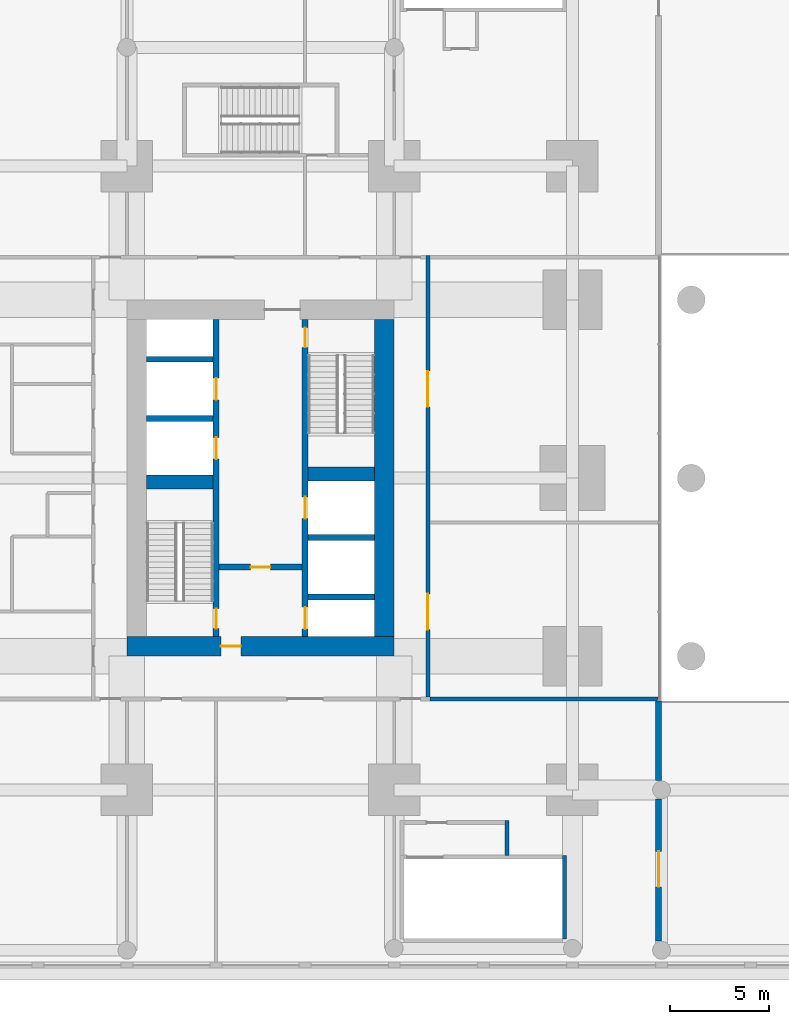
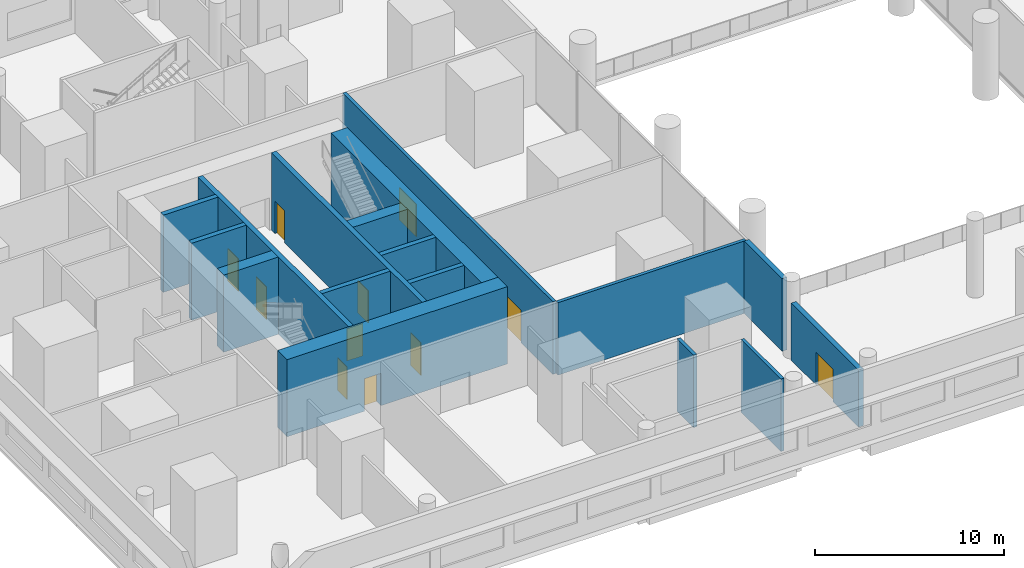
# One storey, part 10 of 20: 17 walls, 11 doors, 11 openings.
"""IFC4 building model written with IfcOpenShell, lengths in metres."""

from ifc_helpers import new_model, si_unit, direction, frame, frame_2d, origin, place, context, subcontext, project, spatial, rectangle, extrude, material, layer, layer_set, type_object, element, fill, save


model = new_model("IFC4")

# Units and contexts
model_context = context("Model", 3, precision=1e-05, world=origin(), true_north=direction((0.0, 1.0)))
body_context = subcontext(model_context, "Body", "Model", "MODEL_VIEW")
ifc_project = project(units=[si_unit("LENGTHUNIT", "METRE"), si_unit("AREAUNIT", "SQUARE_METRE"), si_unit("VOLUMEUNIT", "CUBIC_METRE"), si_unit("PLANEANGLEUNIT", "RADIAN"), si_unit("MASSUNIT", "GRAM", prefix="KILO")], contexts=[model_context])

# Site, building, storey
site_placement = place(None, origin())
site = spatial("IfcSite", under=ifc_project, at=site_placement, CompositionType="ELEMENT")
building_placement = place(site_placement, origin())
building = spatial("IfcBuilding", under=site, at=building_placement, Name="Namib Vertical Campus", CompositionType="ELEMENT")
storey_placement = place(building_placement, frame((0.0, 0.0, 16.0)))
storey = spatial("IfcBuildingStorey", under=building, at=storey_placement, Name="L03", CompositionType="ELEMENT", Elevation=16.0)

# Wall, openings, doors
ifc_material_1 = material(Name="Concrete C60/75", Category="concrete")
ifc_layer_1 = layer(ifc_material_1, 0.300048828125)
ifc_layer_set_1 = layer_set([ifc_layer_1], Name="Concrete C60/75")
wall_type_1 = type_object("IfcWallType", Name="Core inner wall 300", PredefinedType="SHEAR", material=ifc_layer_set_1)
wall_1_placement = place(storey_placement, frame((18.0, 12.25, 0.0), z_axis=(0.0, 0.0, 1.0), x_axis=(0.0, 1.0, 0.0)))
wall_1 = element("IfcWall", 1, at=wall_1_placement, inside=storey, type_object=wall_type_1, Name="Core inner wall A L03 W1", PredefinedType="SHEAR", context=body_context, shape_type="SweptSolid", body=[
    extrude(rectangle(XDim=16.0, YDim=0.300048828125, at=frame_2d((8.0, 0.0))), origin(), (0.0, 0.0, 1.0), 5.0),
])
opening_1_placement = place(wall_1_placement, frame((0.39990234375, 0.0, 0.0)))
opening_1 = element("IfcOpeningElement", 2, at=opening_1_placement, cuts=wall_1, Name="Opening FD1", PredefinedType="OPENING", context=body_context, shape_type="SweptSolid", body=[
    extrude(rectangle(XDim=1.0, YDim=2.10009765625, at=frame_2d((0.5, 1.050048828125))), frame((0.0, 0.159912109375, 0.0), z_axis=(0.0, -1.0, 0.0), x_axis=(1.0, 0.0, 0.0)), (0.0, 0.0, 1.0), 0.320068359375),
])
opening_2_placement = place(wall_1_placement, frame((8.949951171875, 0.0, 0.0)))
opening_2 = element("IfcOpeningElement", 3, at=opening_2_placement, cuts=wall_1, Name="Opening LD1", PredefinedType="OPENING", context=body_context, shape_type="SweptSolid", body=[
    extrude(rectangle(XDim=1.10009765625, YDim=2.10009765625, at=frame_2d((0.550048828125, 1.050048828125))), frame((0.0, 0.159912109375, 0.0), z_axis=(0.0, -1.0, 0.0), x_axis=(1.0, 0.0, 0.0)), (0.0, 0.0, 1.0), 0.320068359375),
])
opening_3_placement = place(wall_1_placement, frame((11.949951171875, 0.0, 0.0)))
opening_3 = element("IfcOpeningElement", 4, at=opening_3_placement, cuts=wall_1, Name="Opening LD1", PredefinedType="OPENING", context=body_context, shape_type="SweptSolid", body=[
    extrude(rectangle(XDim=1.10009765625, YDim=2.10009765625, at=frame_2d((0.550048828125, 1.050048828125))), frame((0.0, 0.159912109375, 0.0), z_axis=(0.0, -1.0, 0.0), x_axis=(1.0, 0.0, 0.0)), (0.0, 0.0, 1.0), 0.320068359375),
])
ifc_material_2 = material(Name="Steel fire door", Category="steel")
door_type_1 = type_object("IfcDoorType", Name="Fire door 1000x2100", OperationType="SINGLE_SWING_RIGHT", PredefinedType="DOOR", material=ifc_material_2)
door_1_placement = place(opening_1_placement, origin())
door_1 = element("IfcDoor", 5, at=door_1_placement, inside=storey, type_object=door_type_1, Name="Stair door FD1 A L03 S1", OperationType="SINGLE_SWING_LEFT", OverallHeight=2.10009765625, OverallWidth=1.0, PredefinedType="DOOR", context=body_context, shape_type="SweptSolid", body=[
    extrude(rectangle(XDim=1.0, YDim=2.10009765625, at=frame_2d((0.5, 1.050048828125))), frame((0.0, 0.02490234375, 0.0), z_axis=(0.0, -1.0, 0.0), x_axis=(1.0, 0.0, 0.0)), (0.0, 0.0, 1.0), 0.050048828125),
])
fill(opening_1, door_1)
ifc_material_3 = material(Name="Stainless steel lift door", Category="steel")
door_type_2 = type_object("IfcDoorType", Name="Lift landing door 1100x2100", OperationType="DOUBLE_DOOR_SLIDING", PredefinedType="DOOR", material=ifc_material_3)
door_2_placement = place(opening_2_placement, origin())
door_2 = element("IfcDoor", 6, at=door_2_placement, inside=storey, type_object=door_type_2, Name="Lift landing door LD1 A-P1 L03", OperationType="DOUBLE_DOOR_SLIDING", OverallHeight=2.10009765625, OverallWidth=1.10009765625, PredefinedType="DOOR", context=body_context, shape_type="SweptSolid", body=[
    extrude(rectangle(XDim=1.10009765625, YDim=2.10009765625, at=frame_2d((0.550048828125, 1.050048828125))), frame((0.0, 0.02490234375, 0.0), z_axis=(0.0, -1.0, 0.0), x_axis=(1.0, 0.0, 0.0)), (0.0, 0.0, 1.0), 0.050048828125),
])
fill(opening_2, door_2)
door_3_placement = place(opening_3_placement, origin())
door_3 = element("IfcDoor", 7, at=door_3_placement, inside=storey, type_object=door_type_2, Name="Lift landing door LD1 A-P2 L03", OperationType="DOUBLE_DOOR_SLIDING", OverallHeight=2.10009765625, OverallWidth=1.10009765625, PredefinedType="DOOR", context=body_context, shape_type="SweptSolid", body=[
    extrude(rectangle(XDim=1.10009765625, YDim=2.10009765625, at=frame_2d((0.550048828125, 1.050048828125))), frame((0.0, 0.02490234375, 0.0), z_axis=(0.0, -1.0, 0.0), x_axis=(1.0, 0.0, 0.0)), (0.0, 0.0, 1.0), 0.050048828125),
])
fill(opening_3, door_3)

wall_2_placement = place(storey_placement, frame((22.5, 12.25, 0.0), z_axis=(0.0, 0.0, 1.0), x_axis=(0.0, 1.0, 0.0)))
wall_2 = element("IfcWall", 8, at=wall_2_placement, inside=storey, type_object=wall_type_1, Name="Core inner wall A L03 W2", PredefinedType="SHEAR", context=body_context, shape_type="SweptSolid", body=[
    extrude(rectangle(XDim=16.0, YDim=0.300048828125, at=frame_2d((8.0, 0.0))), origin(), (0.0, 0.0, 1.0), 5.0),
])
opening_4_placement = place(wall_2_placement, frame((14.60009765625, 0.0, 0.0)))
opening_4 = element("IfcOpeningElement", 9, at=opening_4_placement, cuts=wall_2, Name="Opening FD1", PredefinedType="OPENING", context=body_context, shape_type="SweptSolid", body=[
    extrude(rectangle(XDim=1.0, YDim=2.10009765625, at=frame_2d((0.5, 1.050048828125))), frame((0.0, 0.159912109375, 0.0), z_axis=(0.0, -1.0, 0.0), x_axis=(1.0, 0.0, 0.0)), (0.0, 0.0, 1.0), 0.320068359375),
])
opening_5_placement = place(wall_2_placement, frame((0.375, 0.0, 0.0)))
opening_5 = element("IfcOpeningElement", 10, at=opening_5_placement, cuts=wall_2, Name="Opening LD1", PredefinedType="OPENING", context=body_context, shape_type="SweptSolid", body=[
    extrude(rectangle(XDim=1.10009765625, YDim=2.10009765625, at=frame_2d((0.550048828125, 1.050048828125))), frame((0.0, 0.159912109375, 0.0), z_axis=(0.0, -1.0, 0.0), x_axis=(1.0, 0.0, 0.0)), (0.0, 0.0, 1.0), 0.320068359375),
])
opening_6_placement = place(wall_2_placement, frame((5.949951171875, 0.0, 0.0)))
opening_6 = element("IfcOpeningElement", 11, at=opening_6_placement, cuts=wall_2, Name="Opening LD1", PredefinedType="OPENING", context=body_context, shape_type="SweptSolid", body=[
    extrude(rectangle(XDim=1.10009765625, YDim=2.10009765625, at=frame_2d((0.550048828125, 1.050048828125))), frame((0.0, 0.159912109375, 0.0), z_axis=(0.0, -1.0, 0.0), x_axis=(1.0, 0.0, 0.0)), (0.0, 0.0, 1.0), 0.320068359375),
])
door_4_placement = place(opening_4_placement, frame((1.0, 0.0, 0.0), z_axis=(0.0, 0.0, 1.0), x_axis=(-1.0, 0.0, 0.0)))
door_4 = element("IfcDoor", 12, at=door_4_placement, inside=storey, type_object=door_type_1, Name="Stair door FD1 A L03 S2", OperationType="SINGLE_SWING_LEFT", OverallHeight=2.10009765625, OverallWidth=1.0, PredefinedType="DOOR", context=body_context, shape_type="SweptSolid", body=[
    extrude(rectangle(XDim=1.0, YDim=2.10009765625, at=frame_2d((0.5, 1.050048828125))), frame((0.0, 0.02490234375, 0.0), z_axis=(0.0, -1.0, 0.0), x_axis=(1.0, 0.0, 0.0)), (0.0, 0.0, 1.0), 0.050048828125),
])
fill(opening_4, door_4)
door_5_placement = place(opening_5_placement, origin())
door_5 = element("IfcDoor", 13, at=door_5_placement, inside=storey, type_object=door_type_2, Name="Lift landing door LD1 A-FL1 L03", OperationType="DOUBLE_DOOR_SLIDING", OverallHeight=2.10009765625, OverallWidth=1.10009765625, PredefinedType="DOOR", context=body_context, shape_type="SweptSolid", body=[
    extrude(rectangle(XDim=1.10009765625, YDim=2.10009765625, at=frame_2d((0.550048828125, 1.050048828125))), frame((0.0, 0.02490234375, 0.0), z_axis=(0.0, -1.0, 0.0), x_axis=(1.0, 0.0, 0.0)), (0.0, 0.0, 1.0), 0.050048828125),
])
fill(opening_5, door_5)
door_6_placement = place(opening_6_placement, origin())
door_6 = element("IfcDoor", 14, at=door_6_placement, inside=storey, type_object=door_type_2, Name="Lift landing door LD1 A-P5 L03", OperationType="DOUBLE_DOOR_SLIDING", OverallHeight=2.10009765625, OverallWidth=1.10009765625, PredefinedType="DOOR", context=body_context, shape_type="SweptSolid", body=[
    extrude(rectangle(XDim=1.10009765625, YDim=2.10009765625, at=frame_2d((0.550048828125, 1.050048828125))), frame((0.0, 0.02490234375, 0.0), z_axis=(0.0, -1.0, 0.0), x_axis=(1.0, 0.0, 0.0)), (0.0, 0.0, 1.0), 0.050048828125),
])
fill(opening_6, door_6)

# Wall, opening, door
wall_3_placement = place(storey_placement, frame((18.14990234375, 15.75, 0.0), z_axis=(0.0, 0.0, 1.0), x_axis=(1.0, 0.0, 0.0)))
wall_3 = element("IfcWall", 15, at=wall_3_placement, inside=storey, type_object=wall_type_1, Name="Core inner wall A L03 W4", PredefinedType="SHEAR", context=body_context, shape_type="SweptSolid", body=[
    extrude(rectangle(XDim=4.2001953125, YDim=0.300048828125, at=frame_2d((2.10009765625, 0.0))), origin(), (0.0, 0.0, 1.0), 5.0),
])
opening_7_placement = place(wall_3_placement, frame((1.60009765625, 0.0, 0.0)))
opening_7 = element("IfcOpeningElement", 16, at=opening_7_placement, cuts=wall_3, Name="Opening FD5", PredefinedType="OPENING", context=body_context, shape_type="SweptSolid", body=[
    extrude(rectangle(XDim=1.0, YDim=2.10009765625, at=frame_2d((0.5, 1.050048828125))), frame((0.0, 0.159912109375, 0.0), z_axis=(0.0, -1.0, 0.0), x_axis=(1.0, 0.0, 0.0)), (0.0, 0.0, 1.0), 0.320068359375),
])
ifc_material_4 = material(Name="Steel fire door", Category="steel")
door_type_3 = type_object("IfcDoorType", Name="Fire door 1000x2100 120 min", OperationType="SINGLE_SWING_RIGHT", PredefinedType="DOOR", material=ifc_material_4)
door_7_placement = place(opening_7_placement, frame((1.0, 0.0, 0.0), z_axis=(0.0, 0.0, 1.0), x_axis=(-1.0, 0.0, 0.0)))
door_7 = element("IfcDoor", 17, at=door_7_placement, inside=storey, type_object=door_type_3, Name="Lobby door FD5 A L03", OperationType="SINGLE_SWING_RIGHT", OverallHeight=2.10009765625, OverallWidth=1.0, PredefinedType="DOOR", context=body_context, shape_type="SweptSolid", body=[
    extrude(rectangle(XDim=1.0, YDim=2.10009765625, at=frame_2d((0.5, 1.050048828125))), frame((0.0, 0.02490234375, 0.0), z_axis=(0.0, -1.0, 0.0), x_axis=(1.0, 0.0, 0.0)), (0.0, 0.0, 1.0), 0.050048828125),
])
fill(opening_7, door_7)

# Walls
for number, where, z_axis, x_axis, name in (
    (18, (22.64990234375, 14.25, 0.0), (0.0, 0.0, 1.0), (1.0, 0.0, 0.0), "Core inner wall A L03 W5"),
    (19, (22.64990234375, 17.25, 0.0), (0.0, 0.0, 1.0), (1.0, 0.0, 0.0), "Core inner wall A L03 W6"),
    (20, (14.5, 23.25, 0.0), (0.0, 0.0, 1.0), (1.0, 0.0, 0.0), "Core inner wall A L03 W8"),
    (21, (14.5, 26.25, 0.0), (0.0, 0.0, 1.0), (1.0, 0.0, 0.0), "Core inner wall A L03 W9"),
):
    element("IfcWall", number, at=place(storey_placement, frame(where, z_axis=z_axis, x_axis=x_axis)), inside=storey, type_object=wall_type_1, Name=name, PredefinedType="SHEAR", context=body_context, shape_type="SweptSolid", body=[
        extrude(rectangle(XDim=3.35009765625, YDim=0.300048828125, at=frame_2d((1.675048828125, 0.0))), origin(), (0.0, 0.0, 1.0), 5.0),
    ])
ifc_material_5 = material(Name="Concrete C60/75", Category="concrete")
ifc_layer_2 = layer(ifc_material_5, 0.699951171875)
ifc_layer_set_2 = layer_set([ifc_layer_2], Name="Concrete C60/75")
wall_type_2 = type_object("IfcWallType", Name="Core shear wall 700", PredefinedType="SHEAR", material=ifc_layer_set_2)
for number, where, z_axis, x_axis, name in (
    (22, (14.5, 20.050048828125, 0.0), (0.0, 0.0, 1.0), (1.0, 0.0, 0.0), "Core shear wall A L03 W3"),
    (23, (22.64990234375, 20.449951171875, 0.0), (0.0, 0.0, 1.0), (1.0, 0.0, 0.0), "Core shear wall A L03 W7"),
):
    element("IfcWall", number, at=place(storey_placement, frame(where, z_axis=z_axis, x_axis=x_axis)), inside=storey, type_object=wall_type_2, Name=name, PredefinedType="SHEAR", context=body_context, shape_type="SweptSolid", body=[
        extrude(rectangle(XDim=3.35009765625, YDim=0.699951171875, at=frame_2d((1.675048828125, 0.0))), origin(), (0.0, 0.0, 1.0), 5.0),
    ])

# Wall, opening, door
ifc_material_6 = material(Name="Concrete C60/75", Category="concrete")
ifc_layer_3 = layer(ifc_material_6, 1.0)
ifc_layer_set_3 = layer_set([ifc_layer_3], Name="Concrete C60/75")
wall_type_3 = type_object("IfcWallType", Name="Core wall 1000", PredefinedType="SHEAR", material=ifc_layer_set_3)
wall_4_placement = place(storey_placement, frame((13.5, 11.75, 0.0), z_axis=(0.0, 0.0, 1.0), x_axis=(1.0, 0.0, 0.0)))
wall_4 = element("IfcWall", 24, at=wall_4_placement, inside=storey, type_object=wall_type_3, Name="Core wall A L03 1", PredefinedType="SHEAR", context=body_context, shape_type="SweptSolid", body=[
    extrude(rectangle(XDim=13.5, YDim=1.0, at=frame_2d((6.75, 0.0))), origin(), (0.0, 0.0, 1.0), 5.0),
])
opening_8_placement = place(wall_4_placement, frame((4.75, 0.0, 0.0)))
opening_8 = element("IfcOpeningElement", 25, at=opening_8_placement, cuts=wall_4, Name="Opening FD5", PredefinedType="OPENING", context=body_context, shape_type="SweptSolid", body=[
    extrude(rectangle(XDim=1.0, YDim=2.10009765625, at=frame_2d((0.5, 1.050048828125))), frame((0.0, 0.510009765625, 0.0), z_axis=(0.0, -1.0, 0.0), x_axis=(1.0, 0.0, 0.0)), (0.0, 0.0, 1.0), 1.02001953125),
])
door_8_placement = place(opening_8_placement, origin())
door_8 = element("IfcDoor", 26, at=door_8_placement, inside=storey, type_object=door_type_3, Name="Firefighting lobby door FD5 A L03", OperationType="SINGLE_SWING_LEFT", OverallHeight=2.10009765625, OverallWidth=1.0, PredefinedType="DOOR", context=body_context, shape_type="SweptSolid", body=[
    extrude(rectangle(XDim=1.0, YDim=2.10009765625, at=frame_2d((0.5, 1.050048828125))), frame((0.0, 0.02490234375, 0.0), z_axis=(0.0, -1.0, 0.0), x_axis=(1.0, 0.0, 0.0)), (0.0, 0.0, 1.0), 0.050048828125),
])
fill(opening_8, door_8)

# Wall
wall_5_placement = place(storey_placement, frame((26.5, 12.25, 0.0), z_axis=(0.0, 0.0, 1.0), x_axis=(0.0, 1.0, 0.0)))
element("IfcWall", 27, at=wall_5_placement, inside=storey, type_object=wall_type_3, Name="Core wall A L03 2", PredefinedType="SHEAR", context=body_context, shape_type="SweptSolid", body=[
    extrude(rectangle(XDim=16.0, YDim=1.0, at=frame_2d((8.0, 0.0))), origin(), (0.0, 0.0, 1.0), 5.0),
])

# Wall, openings, doors
ifc_material_7 = material(Name="Concrete masonry", Category="masonry")
ifc_layer_4 = layer(ifc_material_7, 0.199951171875)
ifc_layer_set_4 = layer_set([ifc_layer_4], Name="Corridor wall 200")
wall_type_4 = type_object("IfcWallType", Name="Corridor wall 200", PredefinedType="SOLIDWALL", material=ifc_layer_set_4)
wall_6_placement = place(storey_placement, frame((28.699951171875, 9.199951171875, 0.0), z_axis=(0.0, 0.0, 1.0), x_axis=(0.0, 1.0, 0.0)))
wall_6 = element("IfcWall", 28, at=wall_6_placement, inside=storey, type_object=wall_type_4, Name="Corridor wall A L03 CE", PredefinedType="SOLIDWALL", context=body_context, shape_type="SweptSolid", body=[
    extrude(rectangle(XDim=22.300048828125, YDim=0.199951171875, at=frame_2d((11.14990234375, 0.0))), origin(), (0.0, 0.0, 1.0), 4.699951171875),
])
opening_9_placement = place(wall_6_placement, frame((3.39990234375, 0.0, 0.0)))
opening_9 = element("IfcOpeningElement", 29, at=opening_9_placement, cuts=wall_6, Name="Opening CD2", PredefinedType="OPENING", context=body_context, shape_type="SweptSolid", body=[
    extrude(rectangle(XDim=1.800048828125, YDim=2.10009765625, at=frame_2d((0.89990234375, 1.050048828125))), frame((0.0, 0.10986328125, 0.0), z_axis=(0.0, -1.0, 0.0), x_axis=(1.0, 0.0, 0.0)), (0.0, 0.0, 1.0), 0.219970703125),
])
opening_10_placement = place(wall_6_placement, frame((14.64990234375, 0.0, 0.0)))
opening_10 = element("IfcOpeningElement", 30, at=opening_10_placement, cuts=wall_6, Name="Opening CD2", PredefinedType="OPENING", context=body_context, shape_type="SweptSolid", body=[
    extrude(rectangle(XDim=1.800048828125, YDim=2.10009765625, at=frame_2d((0.89990234375, 1.050048828125))), frame((0.0, 0.10986328125, 0.0), z_axis=(0.0, -1.0, 0.0), x_axis=(1.0, 0.0, 0.0)), (0.0, 0.0, 1.0), 0.219970703125),
])
ifc_material_8 = material(Name="Timber fire door leaf", Category="wood")
door_type_4 = type_object("IfcDoorType", Name="Corridor door double 1800x2100 20 min", OperationType="DOUBLE_DOOR_SINGLE_SWING", PredefinedType="DOOR", material=ifc_material_8)
door_9_placement = place(opening_9_placement, frame((1.800048828125, 0.0, 0.0), z_axis=(0.0, 0.0, 1.0), x_axis=(-1.0, 0.0, 0.0)))
door_9 = element("IfcDoor", 31, at=door_9_placement, inside=storey, type_object=door_type_4, Name="Door CD2 A03-05", OperationType="DOUBLE_DOOR_SINGLE_SWING", OverallHeight=2.10009765625, OverallWidth=1.800048828125, PredefinedType="DOOR", context=body_context, shape_type="SweptSolid", body=[
    extrude(rectangle(XDim=1.800048828125, YDim=2.10009765625, at=frame_2d((0.89990234375, 1.050048828125))), frame((0.0, 0.02490234375, 0.0), z_axis=(0.0, -1.0, 0.0), x_axis=(1.0, 0.0, 0.0)), (0.0, 0.0, 1.0), 0.050048828125),
])
fill(opening_9, door_9)
door_10_placement = place(opening_10_placement, frame((1.800048828125, 0.0, 0.0), z_axis=(0.0, 0.0, 1.0), x_axis=(-1.0, 0.0, 0.0)))
door_10 = element("IfcDoor", 32, at=door_10_placement, inside=storey, type_object=door_type_4, Name="Door CD2 A03-06", OperationType="DOUBLE_DOOR_SINGLE_SWING", OverallHeight=2.10009765625, OverallWidth=1.800048828125, PredefinedType="DOOR", context=body_context, shape_type="SweptSolid", body=[
    extrude(rectangle(XDim=1.800048828125, YDim=2.10009765625, at=frame_2d((0.89990234375, 1.050048828125))), frame((0.0, 0.02490234375, 0.0), z_axis=(0.0, -1.0, 0.0), x_axis=(1.0, 0.0, 0.0)), (0.0, 0.0, 1.0), 0.050048828125),
])
fill(opening_10, door_10)

# Walls
wall_7_placement = place(storey_placement, frame((28.800048828125, 9.10009765625, 0.0), z_axis=(0.0, 0.0, 1.0), x_axis=(1.0, 0.0, 0.0)))
element("IfcWall", 33, at=wall_7_placement, inside=storey, type_object=wall_type_4, Name="Partition A L03 BSE", PredefinedType="SOLIDWALL", context=body_context, shape_type="SweptSolid", body=[
    extrude(rectangle(XDim=11.52001953125, YDim=0.199951171875, at=frame_2d((5.760009765625, 0.0))), origin(), (0.0, 0.0, 1.0), 4.699951171875),
])
wall_8_placement = place(storey_placement, frame((32.699951171875, 1.199951171875, 0.0), z_axis=(0.0, 0.0, 1.0), x_axis=(0.0, 1.0, 0.0)))
element("IfcWall", 34, at=wall_8_placement, inside=storey, type_object=wall_type_4, Name="Stair lobby wall P-S2 L03", PredefinedType="SOLIDWALL", context=body_context, shape_type="SweptSolid", body=[
    extrude(rectangle(XDim=1.75, YDim=0.199951171875, at=frame_2d((0.875, 0.0))), origin(), (0.0, 0.0, 1.0), 4.699951171875),
])

# Wall, opening, door
ifc_material_9 = material(Name="Concrete masonry", Category="masonry")
ifc_layer_5 = layer(ifc_material_9, 0.300048828125)
ifc_layer_set_5 = layer_set([ifc_layer_5], Name="Fire wall 300")
wall_type_5 = type_object("IfcWallType", Name="Fire wall 300", PredefinedType="SOLIDWALL", material=ifc_layer_set_5)
wall_9_placement = place(storey_placement, frame((40.35009765625, -3.1298828125, 0.0), z_axis=(0.0, 0.0, 1.0), x_axis=(0.0, 1.0, 0.0)))
wall_9 = element("IfcWall", 35, at=wall_9_placement, inside=storey, type_object=wall_type_5, Name="Fire wall A L03", PredefinedType="SOLIDWALL", context=body_context, shape_type="SweptSolid", body=[
    extrude(rectangle(XDim=7.159912109375, YDim=0.300048828125, at=frame_2d((3.580078125, 0.0))), origin(), (0.0, 0.0, 1.0), 3.699951171875),
])
opening_11_placement = place(wall_9_placement, frame((2.72998046875, 0.0, 0.0)))
opening_11 = element("IfcOpeningElement", 36, at=opening_11_placement, cuts=wall_9, Name="Opening FD2", PredefinedType="OPENING", context=body_context, shape_type="SweptSolid", body=[
    extrude(rectangle(XDim=1.800048828125, YDim=2.10009765625, at=frame_2d((0.89990234375, 1.050048828125))), frame((0.0, 0.159912109375, 0.0), z_axis=(0.0, -1.0, 0.0), x_axis=(1.0, 0.0, 0.0)), (0.0, 0.0, 1.0), 0.320068359375),
])
ifc_material_10 = material(Name="Steel fire door", Category="steel")
door_type_5 = type_object("IfcDoorType", Name="Fire door double 1800x2100", OperationType="DOUBLE_DOOR_SINGLE_SWING", PredefinedType="DOOR", material=ifc_material_10)
door_11_placement = place(opening_11_placement, origin())
door_11 = element("IfcDoor", 37, at=door_11_placement, inside=storey, type_object=door_type_5, Name="Door FD2 middle A L03 1", OperationType="DOUBLE_DOOR_SINGLE_SWING", OverallHeight=2.10009765625, OverallWidth=1.800048828125, PredefinedType="DOOR", context=body_context, shape_type="SweptSolid", body=[
    extrude(rectangle(XDim=1.800048828125, YDim=2.10009765625, at=frame_2d((0.89990234375, 1.050048828125))), frame((0.0, 0.02490234375, 0.0), z_axis=(0.0, -1.0, 0.0), x_axis=(1.0, 0.0, 0.0)), (0.0, 0.0, 1.0), 0.050048828125),
])
fill(opening_11, door_11)

# Walls
wall_10_placement = place(storey_placement, frame((40.35009765625, 4.969970703125, 0.0), z_axis=(0.0, 0.0, 1.0), x_axis=(0.0, 1.0, 0.0)))
element("IfcWall", 38, at=wall_10_placement, inside=storey, type_object=wall_type_5, Name="Fire wall A L03", PredefinedType="SOLIDWALL", context=body_context, shape_type="SweptSolid", body=[
    extrude(rectangle(XDim=4.030029296875, YDim=0.300048828125, at=frame_2d((2.01513671875, 0.0))), origin(), (0.0, 0.0, 1.0), 4.699951171875),
])
ifc_material_11 = material(Name="Concrete C40/50", Category="concrete")
ifc_layer_6 = layer(ifc_material_11, 0.199951171875)
ifc_layer_set_6 = layer_set([ifc_layer_6], Name="Concrete C40/50")
wall_type_6 = type_object("IfcWallType", Name="Stair enclosure wall RC 200", PredefinedType="SOLIDWALL", material=ifc_layer_set_6)
wall_11_placement = place(storey_placement, frame((35.60009765625, -3.030029296875, 0.0), z_axis=(0.0, 0.0, 1.0), x_axis=(0.0, 1.0, 0.0)))
element("IfcWall", 39, at=wall_11_placement, inside=storey, type_object=wall_type_6, Name="Stair enclosure wall P-S2 L03 E", PredefinedType="SOLIDWALL", context=body_context, shape_type="SweptSolid", body=[
    extrude(rectangle(XDim=4.22998046875, YDim=0.199951171875, at=frame_2d((2.114990234375, 0.0))), origin(), (0.0, 0.0, 1.0), 4.699951171875),
])

save(model, "model.ifc")
